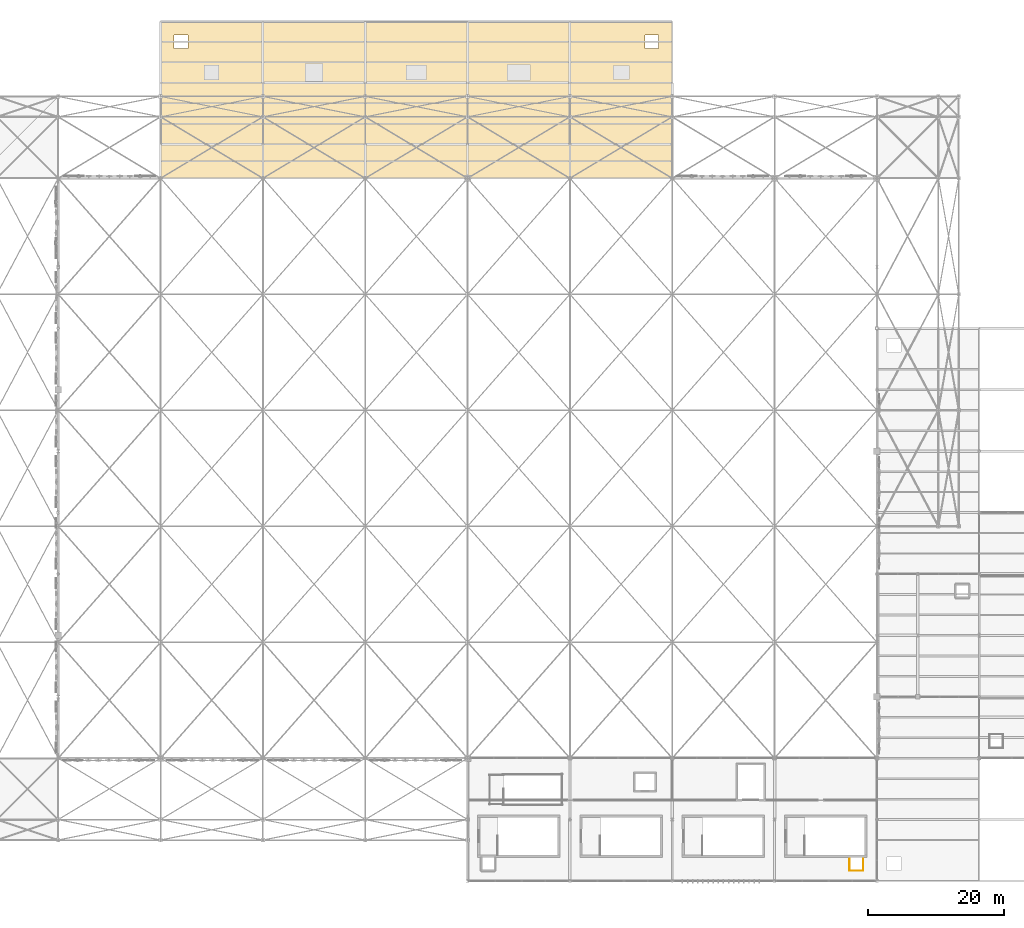
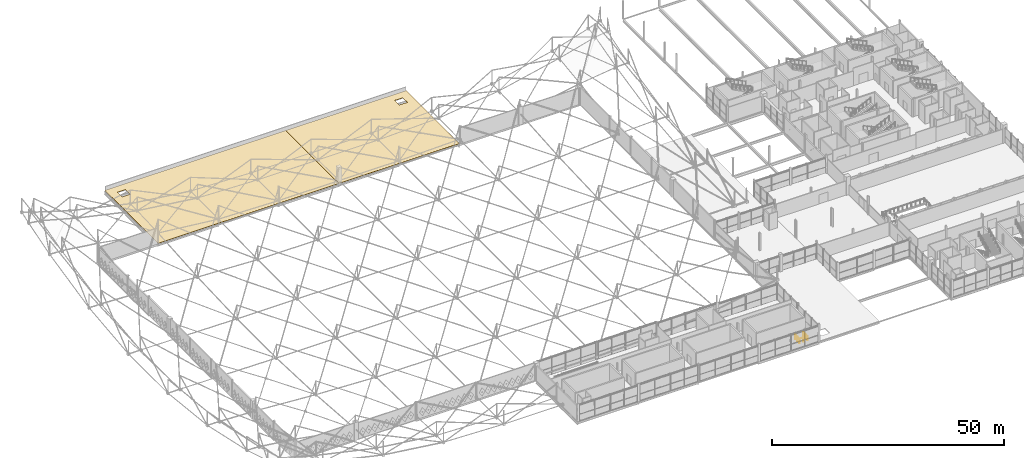
# One storey, part 216 of 224: 3 railings, 2 coverings.
"""IFC4 building model written with IfcOpenShell, lengths in metres."""

from ifc_helpers import new_model, si_unit, direction, frame, origin, origin_2d, place, context, subcontext, project, spatial, polyline, circle, outline, extrude, material, layer, layer_set, type_object, element, save


model = new_model("IFC4")

# Units and contexts
model_context = context("Model", 3, precision=1e-05, world=origin(), true_north=direction((0.0, 1.0)))
body_context = subcontext(model_context, "Body", "Model", "MODEL_VIEW")
ifc_project = project(units=[si_unit("LENGTHUNIT", "METRE"), si_unit("AREAUNIT", "SQUARE_METRE"), si_unit("VOLUMEUNIT", "CUBIC_METRE"), si_unit("PLANEANGLEUNIT", "RADIAN"), si_unit("MASSUNIT", "GRAM", prefix="KILO")], contexts=[model_context])

# Site, building, storey
site_placement = place(None, origin())
site = spatial("IfcSite", under=ifc_project, at=site_placement, CompositionType="ELEMENT")
building_placement = place(site_placement, origin())
building = spatial("IfcBuilding", under=site, at=building_placement, Name="Qamarlyn Nura Convention Centre", CompositionType="ELEMENT")
storey_placement = place(building_placement, frame((0.0, 0.0, 10.800048828125)))
storey = spatial("IfcBuildingStorey", under=building, at=storey_placement, Name="L02", CompositionType="ELEMENT", Elevation=10.800048828125)

# Coverings
ifc_material_1 = material(Name="High-albedo TPO cool-roof membrane")
ifc_layer = layer(ifc_material_1, 0.050048828125, Name="COV-ROOF-TPO")
ifc_layer_set = layer_set([ifc_layer], Name="High-albedo TPO cool-roof membrane")
covering_type = type_object("IfcCoveringType", Name="COV-ROOF-TPO", PredefinedType="ROOFING", material=ifc_layer_set)
covering_1_placement = place(storey_placement, origin())
element("IfcCovering", 1, at=covering_1_placement, inside=storey, type_object=covering_type, Name="L02 high-albedo TPO roof membrane ROOFSLAB-R-L02-NS1", PredefinedType="ROOFING", context=body_context, shape_type="SweptSolid", body=[
    extrude(outline(polyline([(15.0, 103.0), (15.0, 126.0), (60.0, 126.0), (60.0, 103.0), (15.0, 103.0)]), holes=[polyline([(19.0, 124.0), (17.0, 124.0), (17.0, 122.0), (19.0, 122.0), (19.0, 124.0)])]), origin(), (0.0, 0.0, 1.0), 0.050048828125),
])
covering_2_placement = place(storey_placement, origin())
element("IfcCovering", 2, at=covering_2_placement, inside=storey, type_object=covering_type, Name="L02 high-albedo TPO roof membrane ROOFSLAB-R-L02-NS2", PredefinedType="ROOFING", context=body_context, shape_type="SweptSolid", body=[
    extrude(outline(polyline([(60.0, 103.0), (60.0, 126.0), (90.0, 126.0), (90.0, 103.0), (60.0, 103.0)]), holes=[polyline([(88.0, 124.0), (86.0, 124.0), (86.0, 122.0), (88.0, 122.0), (88.0, 124.0)])]), origin(), (0.0, 0.0, 1.0), 0.050048828125),
])

# Railings
ifc_material_2 = material(Name="Marine Grade 316 stainless steel", Category="steel")
railing_type = type_object("IfcRailingType", Name="GRD-VOID-112", PredefinedType="BALUSTRADE", material=ifc_material_2)
railing_1_placement = place(storey_placement, frame((116.0, 3.199951171875, 0.0)))
element("IfcRailing", 3, at=railing_1_placement, inside=storey, type_object=railing_type, Name="L02 slab edge balustrade guard 051", PredefinedType="BALUSTRADE", context=body_context, shape_type="SweptSolid", body=[
    extrude(circle(Radius=0.02392578125, at=origin_2d()), frame((0.0, 0.0, 1.09619140625), z_axis=(0.0, -1.0, 0.0), x_axis=(1.0, 0.0, 0.0)), (0.0, 0.0, 1.0), 1.699951171875),
    extrude(circle(Radius=0.02099609375, at=origin_2d()), origin(), (0.0, 0.0, 1.0), 1.070068359375),
    extrude(circle(Radius=0.02099609375, at=origin_2d()), frame((0.0, -0.85009765625, 0.0)), (0.0, 0.0, 1.0), 1.070068359375),
    extrude(circle(Radius=0.02099609375, at=origin_2d()), frame((0.0, -1.699951171875, 0.0)), (0.0, 0.0, 1.0), 1.070068359375),
])
railing_2_placement = place(storey_placement, frame((116.0, 1.5, 0.0)))
element("IfcRailing", 4, at=railing_2_placement, inside=storey, type_object=railing_type, Name="L02 slab edge balustrade guard 052", PredefinedType="BALUSTRADE", context=body_context, shape_type="SweptSolid", body=[
    extrude(circle(Radius=0.02392578125, at=origin_2d()), frame((0.0, 0.0, 1.09619140625), z_axis=(1.0, 0.0, 0.0), x_axis=(0.0, 1.0, 0.0)), (0.0, 0.0, 1.0), 2.0),
    extrude(circle(Radius=0.02099609375, at=origin_2d()), origin(), (0.0, 0.0, 1.0), 1.070068359375),
    extrude(circle(Radius=0.02099609375, at=origin_2d()), frame((1.0, 0.0, 0.0)), (0.0, 0.0, 1.0), 1.070068359375),
    extrude(circle(Radius=0.02099609375, at=origin_2d()), frame((2.0, 0.0, 0.0)), (0.0, 0.0, 1.0), 1.070068359375),
])
railing_3_placement = place(storey_placement, frame((118.0, 1.5, 0.0)))
element("IfcRailing", 5, at=railing_3_placement, inside=storey, type_object=railing_type, Name="L02 slab edge balustrade guard 053", PredefinedType="BALUSTRADE", context=body_context, shape_type="SweptSolid", body=[
    extrude(circle(Radius=0.02392578125, at=origin_2d()), frame((0.0, 0.0, 1.09619140625), z_axis=(0.0, 1.0, 0.0), x_axis=(-1.0, 0.0, 0.0)), (0.0, 0.0, 1.0), 1.699951171875),
    extrude(circle(Radius=0.02099609375, at=origin_2d()), origin(), (0.0, 0.0, 1.0), 1.070068359375),
    extrude(circle(Radius=0.02099609375, at=origin_2d()), frame((0.0, 0.85009765625, 0.0)), (0.0, 0.0, 1.0), 1.070068359375),
    extrude(circle(Radius=0.02099609375, at=origin_2d()), frame((0.0, 1.699951171875, 0.0)), (0.0, 0.0, 1.0), 1.070068359375),
])

save(model, "model.ifc")
